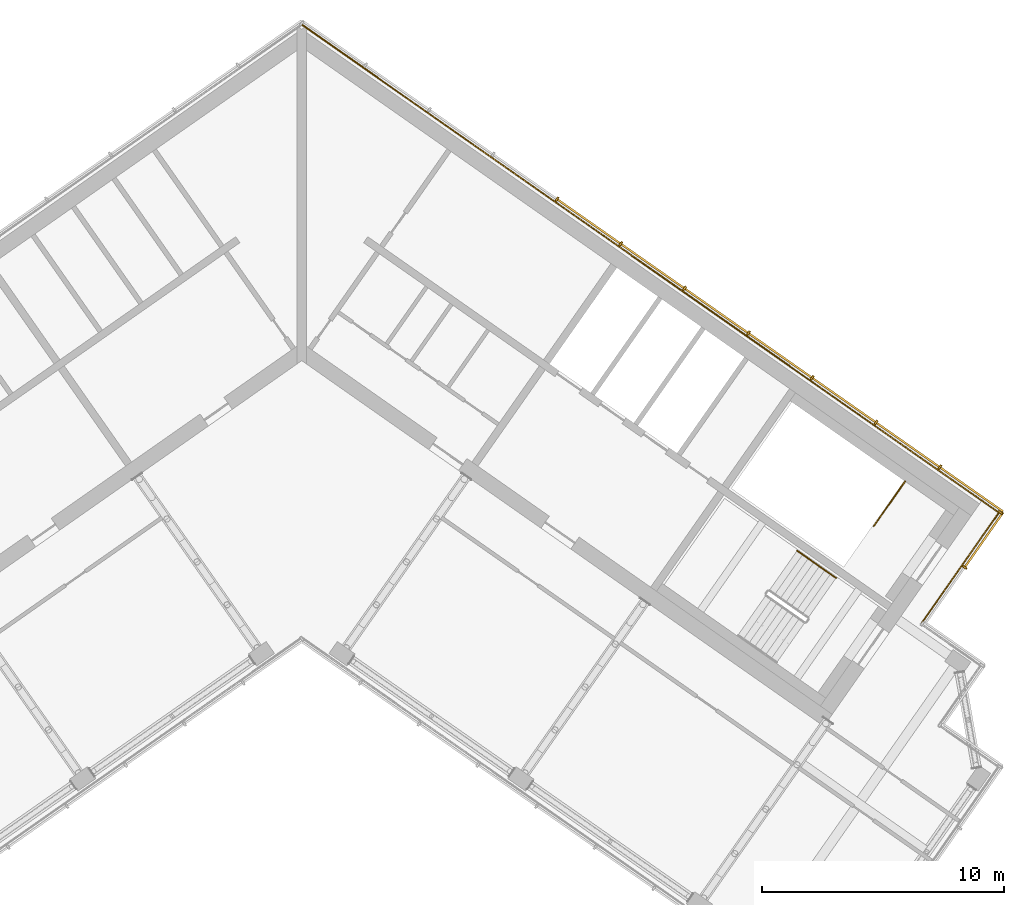
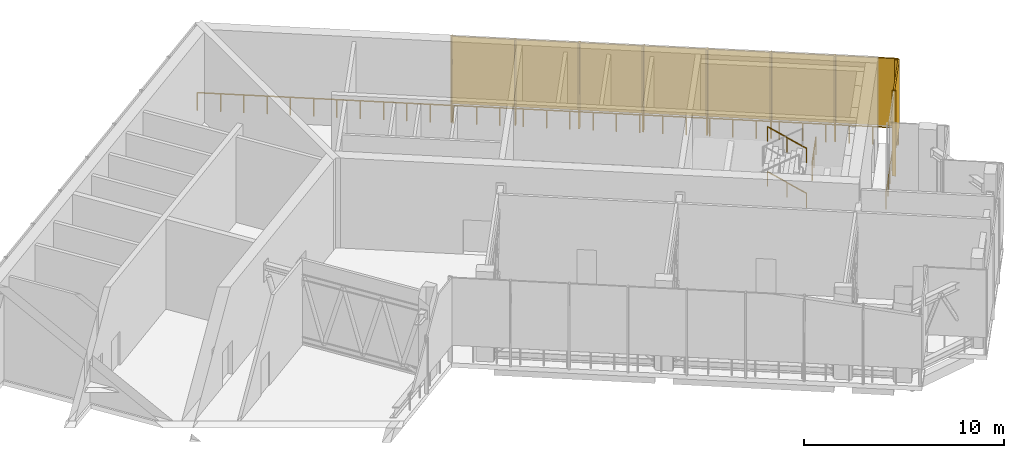
# One storey, part 15 of 16: 17 shading devices, 5 railings.
"""IFC4 building model written with IfcOpenShell, lengths in metres."""

from ifc_helpers import new_model, si_unit, direction, frame, origin, origin_2d, place, context, subcontext, project, spatial, rectangle, circle, extrude, material, layer, layer_set, type_object, element, save


model = new_model("IFC4")

# Units and contexts
model_context = context("Model", 3, precision=1e-05, world=origin(), true_north=direction((0.0, 1.0)))
body_context = subcontext(model_context, "Body", "Model", "MODEL_VIEW")
ifc_project = project(units=[si_unit("LENGTHUNIT", "METRE"), si_unit("AREAUNIT", "SQUARE_METRE"), si_unit("VOLUMEUNIT", "CUBIC_METRE"), si_unit("PLANEANGLEUNIT", "RADIAN"), si_unit("MASSUNIT", "GRAM", prefix="KILO")], contexts=[model_context])

# Site, building, storey
site_placement = place(None, origin())
site = spatial("IfcSite", under=ifc_project, at=site_placement, CompositionType="ELEMENT")
building_placement = place(site_placement, origin())
building = spatial("IfcBuilding", under=site, at=building_placement, Name="Tel Ilan Convention Tower", CompositionType="ELEMENT")
storey_placement = place(building_placement, frame((0.0, 0.0, 313.300048828125)))
storey = spatial("IfcBuildingStorey", under=building, at=storey_placement, Name="L74", CompositionType="ELEMENT", Elevation=313.300048828125)

# Shading devices
ifc_material_1 = material(Name="Perforated aluminium sheet, bronze anodised", Category="aluminium")
ifc_layer_1 = layer(ifc_material_1, 0.080078125)
ifc_layer_set_1 = layer_set([ifc_layer_1], Name="PERFORATED SCREEN 80")
shading_device_type_1 = type_object("IfcShadingDeviceType", Name="PERFORATED SCREEN 80", PredefinedType="USERDEFINED", material=ifc_layer_set_1)
shading_device_1_placement = place(storey_placement, frame((28.15576171875, -8.60595703125, 1.099853515625), z_axis=(0.0, 0.0, 1.0), x_axis=(0.573576436351, 0.819152044289, 0.0)))
element("IfcShadingDevice", 1, at=shading_device_1_placement, inside=storey, type_object=shading_device_type_1, Name="SCREEN", ObjectType="SCREEN", PredefinedType="USERDEFINED", context=body_context, shape_type="SweptSolid", body=[
    extrude(rectangle(XDim=2.739990234375, YDim=0.080078125, at=origin_2d()), origin(), (0.0, 0.0, 1.0), 4.1201171875),
])
for number, where, z_axis, x_axis, name in (
    (2, (27.642578125, -6.537353515625, 1.099853515625), (0.0, 0.0, 1.0), (-0.819152044289, 0.573576436351, 0.0), "SCREEN"),
    (3, (25.009765625, -4.694091796875, 1.099853515625), (0.0, 0.0, 1.0), (-0.819152044289, 0.573576436351, 0.0), "SCREEN"),
    (4, (22.377197265625, -2.8505859375, 1.099853515625), (0.0, 0.0, 1.0), (-0.819152044289, 0.573576436351, 0.0), "SCREEN"),
    (5, (19.74462890625, -1.00732421875, 1.099853515625), (0.0, 0.0, 1.0), (-0.819152044289, 0.573576436351, 0.0), "SCREEN"),
    (6, (17.112060546875, 0.836181640625, 1.099853515625), (0.0, 0.0, 1.0), (-0.819152044289, 0.573576436351, 0.0), "SCREEN"),
    (7, (14.4794921875, 2.679443359375, 1.099853515625), (0.0, 0.0, 1.0), (-0.819152044289, 0.573576436351, 0.0), "SCREEN"),
    (8, (11.8466796875, 4.52294921875, 1.099853515625), (0.0, 0.0, 1.0), (-0.819152044289, 0.573576436351, 0.0), "SCREEN"),
):
    element("IfcShadingDevice", number, at=place(storey_placement, frame(where, z_axis=z_axis, x_axis=x_axis)), inside=storey, type_object=shading_device_type_1, Name=name, ObjectType="SCREEN", PredefinedType="USERDEFINED", context=body_context, shape_type="SweptSolid", body=[
        extrude(rectangle(XDim=3.15380859375, YDim=0.080078125, at=origin_2d()), origin(), (0.0, 0.0, 1.0), 4.1201171875),
    ])

# Railings
ifc_material_2 = material(Name="Stainless steel S316", Category="steel")
railing_type_1 = type_object("IfcRailingType", Name="REFUGE EDGE GUARD 1100", PredefinedType="GUARDRAIL", material=ifc_material_2)
railing_1_placement = place(storey_placement, frame((0.0, 12.647216796875, 0.0)))
element("IfcRailing", 9, at=railing_1_placement, inside=storey, type_object=railing_type_1, Name="Refuge edge guard 56.R09", PredefinedType="GUARDRAIL", context=body_context, shape_type="SweptSolid", body=[
    extrude(circle(Radius=0.02490234375, at=origin_2d()), frame((0.0, 0.0, 1.0751953125), z_axis=(0.819153192638, -0.573574796335, 0.0), x_axis=(0.573574796335, 0.819153192638, 0.0)), (0.0, 0.0, 1.0), 35.1142578125),
    extrude(circle(Radius=0.02490234375, at=origin_2d()), origin(), (0.0, 0.0, 1.0), 1.050048828125),
    extrude(circle(Radius=0.02490234375, at=origin_2d()), frame((0.958740234375, -0.67138671875, 0.0)), (0.0, 0.0, 1.0), 1.050048828125),
    extrude(circle(Radius=0.02490234375, at=origin_2d()), frame((1.91748046875, -1.3427734375, 0.0)), (0.0, 0.0, 1.0), 1.050048828125),
    extrude(circle(Radius=0.02490234375, at=origin_2d()), frame((2.87646484375, -2.01416015625, 0.0)), (0.0, 0.0, 1.0), 1.050048828125),
    extrude(circle(Radius=0.02490234375, at=origin_2d()), frame((3.835205078125, -2.685302734375, 0.0)), (0.0, 0.0, 1.0), 1.050048828125),
    extrude(circle(Radius=0.02490234375, at=origin_2d()), frame((4.7939453125, -3.356689453125, 0.0)), (0.0, 0.0, 1.0), 1.050048828125),
    extrude(circle(Radius=0.02490234375, at=origin_2d()), frame((5.752685546875, -4.028076171875, 0.0)), (0.0, 0.0, 1.0), 1.050048828125),
    extrude(circle(Radius=0.02490234375, at=origin_2d()), frame((6.711669921875, -4.699462890625, 0.0)), (0.0, 0.0, 1.0), 1.050048828125),
    extrude(circle(Radius=0.02490234375, at=origin_2d()), frame((7.67041015625, -5.370849609375, 0.0)), (0.0, 0.0, 1.0), 1.050048828125),
    extrude(circle(Radius=0.02490234375, at=origin_2d()), frame((8.629150390625, -6.042236328125, 0.0)), (0.0, 0.0, 1.0), 1.050048828125),
    extrude(circle(Radius=0.02490234375, at=origin_2d()), frame((9.587890625, -6.713623046875, 0.0)), (0.0, 0.0, 1.0), 1.050048828125),
    extrude(circle(Radius=0.02490234375, at=origin_2d()), frame((10.546875, -7.385009765625, 0.0)), (0.0, 0.0, 1.0), 1.050048828125),
    extrude(circle(Radius=0.02490234375, at=origin_2d()), frame((11.505615234375, -8.05615234375, 0.0)), (0.0, 0.0, 1.0), 1.050048828125),
    extrude(circle(Radius=0.02490234375, at=origin_2d()), frame((12.46435546875, -8.7275390625, 0.0)), (0.0, 0.0, 1.0), 1.050048828125),
    extrude(circle(Radius=0.02490234375, at=origin_2d()), frame((13.423095703125, -9.39892578125, 0.0)), (0.0, 0.0, 1.0), 1.050048828125),
    extrude(circle(Radius=0.02490234375, at=origin_2d()), frame((14.3818359375, -10.0703125, 0.0)), (0.0, 0.0, 1.0), 1.050048828125),
    extrude(circle(Radius=0.02490234375, at=origin_2d()), frame((15.3408203125, -10.74169921875, 0.0)), (0.0, 0.0, 1.0), 1.050048828125),
    extrude(circle(Radius=0.02490234375, at=origin_2d()), frame((16.299560546875, -11.4130859375, 0.0)), (0.0, 0.0, 1.0), 1.050048828125),
    extrude(circle(Radius=0.02490234375, at=origin_2d()), frame((17.25830078125, -12.08447265625, 0.0)), (0.0, 0.0, 1.0), 1.050048828125),
    extrude(circle(Radius=0.02490234375, at=origin_2d()), frame((18.217041015625, -12.755615234375, 0.0)), (0.0, 0.0, 1.0), 1.050048828125),
    extrude(circle(Radius=0.02490234375, at=origin_2d()), frame((19.176025390625, -13.427001953125, 0.0)), (0.0, 0.0, 1.0), 1.050048828125),
    extrude(circle(Radius=0.02490234375, at=origin_2d()), frame((20.134765625, -14.098388671875, 0.0)), (0.0, 0.0, 1.0), 1.050048828125),
    extrude(circle(Radius=0.02490234375, at=origin_2d()), frame((21.093505859375, -14.769775390625, 0.0)), (0.0, 0.0, 1.0), 1.050048828125),
    extrude(circle(Radius=0.02490234375, at=origin_2d()), frame((22.05224609375, -15.441162109375, 0.0)), (0.0, 0.0, 1.0), 1.050048828125),
    extrude(circle(Radius=0.02490234375, at=origin_2d()), frame((23.01123046875, -16.112548828125, 0.0)), (0.0, 0.0, 1.0), 1.050048828125),
    extrude(circle(Radius=0.02490234375, at=origin_2d()), frame((23.969970703125, -16.783935546875, 0.0)), (0.0, 0.0, 1.0), 1.050048828125),
    extrude(circle(Radius=0.02490234375, at=origin_2d()), frame((24.9287109375, -17.455322265625, 0.0)), (0.0, 0.0, 1.0), 1.050048828125),
    extrude(circle(Radius=0.02490234375, at=origin_2d()), frame((25.887451171875, -18.12646484375, 0.0)), (0.0, 0.0, 1.0), 1.050048828125),
    extrude(circle(Radius=0.02490234375, at=origin_2d()), frame((26.846435546875, -18.7978515625, 0.0)), (0.0, 0.0, 1.0), 1.050048828125),
    extrude(circle(Radius=0.02490234375, at=origin_2d()), frame((27.80517578125, -19.46923828125, 0.0)), (0.0, 0.0, 1.0), 1.050048828125),
    extrude(circle(Radius=0.02490234375, at=origin_2d()), frame((28.763916015625, -20.140625, 0.0)), (0.0, 0.0, 1.0), 1.050048828125),
])
railing_2_placement = place(storey_placement, frame((28.763916015625, -7.493408203125, 0.0)))
element("IfcRailing", 10, at=railing_2_placement, inside=storey, type_object=railing_type_1, Name="Refuge edge guard 56.R10", PredefinedType="GUARDRAIL", context=body_context, shape_type="SweptSolid", body=[
    extrude(circle(Radius=0.02490234375, at=origin_2d()), frame((0.0, 0.0, 1.0751953125), z_axis=(-0.57357937206, -0.819149988676, 0.0), x_axis=(0.819149988676, -0.57357937206, 0.0)), (0.0, 0.0, 1.0), 5.60009765625),
    extrude(circle(Radius=0.02490234375, at=origin_2d()), origin(), (0.0, 0.0, 1.0), 1.050048828125),
    extrude(circle(Radius=0.02490234375, at=origin_2d()), frame((-0.642333984375, -0.91748046875, 0.0)), (0.0, 0.0, 1.0), 1.050048828125),
    extrude(circle(Radius=0.02490234375, at=origin_2d()), frame((-1.284912109375, -1.8349609375, 0.0)), (0.0, 0.0, 1.0), 1.050048828125),
    extrude(circle(Radius=0.02490234375, at=origin_2d()), frame((-1.92724609375, -2.75244140625, 0.0)), (0.0, 0.0, 1.0), 1.050048828125),
    extrude(circle(Radius=0.02490234375, at=origin_2d()), frame((-2.56982421875, -3.669921875, 0.0)), (0.0, 0.0, 1.0), 1.050048828125),
    extrude(circle(Radius=0.02490234375, at=origin_2d()), frame((-3.212158203125, -4.58740234375, 0.0)), (0.0, 0.0, 1.0), 1.050048828125),
])

# Shading devices
ifc_material_3 = material(Name="Perforated aluminium sheet, bronze anodised", Category="aluminium")
ifc_layer_2 = layer(ifc_material_3, 0.080078125)
ifc_layer_set_2 = layer_set([ifc_layer_2], Name="SCREEN CORNER CLOSURE 80x200")
shading_device_type_2 = type_object("IfcShadingDeviceType", Name="SCREEN CORNER CLOSURE 80x200", PredefinedType="USERDEFINED", material=ifc_layer_set_2)
shading_device_2_placement = place(storey_placement, frame((28.819580078125, -7.483642578125, 0.0), z_axis=(0.0, 0.0, 1.0), x_axis=(0.573576436351, 0.819152044289, 0.0)))
element("IfcShadingDevice", 11, at=shading_device_2_placement, inside=storey, type_object=shading_device_type_2, Name="SCREEN", ObjectType="SCREEN", PredefinedType="USERDEFINED", context=body_context, shape_type="SweptSolid", body=[
    extrude(rectangle(XDim=0.080078125, YDim=0.199951171875, at=origin_2d()), origin(), (0.0, 0.0, 1.0), 5.219970703125),
])
ifc_material_4 = material(Name="Aluminium, bronze anodised", Category="aluminium")
ifc_layer_3 = layer(ifc_material_4, 0.080078125)
ifc_layer_set_3 = layer_set([ifc_layer_3], Name="SCREEN POST 80x200")
shading_device_type_3 = type_object("IfcShadingDeviceType", Name="SCREEN POST 80x200", PredefinedType="USERDEFINED", material=ifc_layer_set_3)
for number, where, z_axis, x_axis, name in (
    (12, (27.352783203125, -9.752685546875, 0.0), (0.0, 0.0, 1.0), (0.573576436351, 0.819152044289, 0.0), "Screen post"),
    (13, (26.326171875, -5.61572265625, 0.0), (0.0, 0.0, 1.0), (-0.819152044289, 0.573576436351, 0.0), "Screen post"),
    (14, (23.693603515625, -3.772216796875, 0.0), (0.0, 0.0, 1.0), (-0.819152044289, 0.573576436351, 0.0), "Screen post"),
    (15, (21.06103515625, -1.928955078125, 0.0), (0.0, 0.0, 1.0), (-0.819152044289, 0.573576436351, 0.0), "Screen post"),
    (16, (18.42822265625, -0.08544921875, 0.0), (0.0, 0.0, 1.0), (-0.819152044289, 0.573576436351, 0.0), "Screen post"),
    (17, (15.795654296875, 1.7578125, 0.0), (0.0, 0.0, 1.0), (-0.819152044289, 0.573576436351, 0.0), "Screen post"),
    (18, (13.1630859375, 3.601318359375, 0.0), (0.0, 0.0, 1.0), (-0.819152044289, 0.573576436351, 0.0), "Screen post"),
    (19, (10.530517578125, 5.444580078125, 0.0), (0.0, 0.0, 1.0), (-0.819152044289, 0.573576436351, 0.0), "Screen post"),
):
    element("IfcShadingDevice", number, at=place(storey_placement, frame(where, z_axis=z_axis, x_axis=x_axis)), inside=storey, type_object=shading_device_type_3, Name=name, ObjectType="SCREEN POST", PredefinedType="USERDEFINED", context=body_context, shape_type="SweptSolid", body=[
        extrude(rectangle(XDim=0.080078125, YDim=0.199951171875, at=origin_2d()), origin(), (0.0, 0.0, 1.0), 5.219970703125),
    ])

# Railings
ifc_material_5 = material(Name="Stainless Steel Grade 316", Category="steel")
railing_type_2 = type_object("IfcRailingType", Name="Stainless Steel Stair Guard 1100 mm", PredefinedType="GUARDRAIL", material=ifc_material_5)
railing_3_placement = place(storey_placement, frame((24.8955078125, -6.200927734375, 0.0)))
element("IfcRailing", 20, at=railing_3_placement, inside=storey, type_object=railing_type_2, Name="L74 S3 top well guard 1", PredefinedType="GUARDRAIL", context=body_context, shape_type="SweptSolid", body=[
    extrude(circle(Radius=0.02392578125, at=origin_2d()), frame((0.0, 0.0, 1.076171875), z_axis=(-0.573586141663, -0.819145248471, 0.0), x_axis=(0.819145248471, -0.573586141663, 0.0)), (0.0, 0.0, 1.0), 2.25),
    extrude(circle(Radius=0.02099609375, at=origin_2d()), origin(), (0.0, 0.0, 1.0), 1.052001953125),
    extrude(circle(Radius=0.02099609375, at=origin_2d()), frame((-0.645263671875, -0.92138671875, 0.0)), (0.0, 0.0, 1.0), 1.052001953125),
    extrude(circle(Radius=0.02099609375, at=origin_2d()), frame((-1.29052734375, -1.843017578125, 0.0)), (0.0, 0.0, 1.0), 1.052001953125),
])
ifc_material_6 = material(Name="Stainless Steel Grade 316", Category="steel")
railing_type_3 = type_object("IfcRailingType", Name="Stainless Steel Stair Handrail 900 mm", PredefinedType="HANDRAIL", material=ifc_material_6)
for number, where, name in (
    (21, (22.044189453125, -10.18603515625, 0.171875), "L74 S4 stair handrail 1"),
    (22, (22.044189453125, -10.18603515625, 2.921875), "L74 S4 stair handrail 3"),
):
    element("IfcRailing", number, at=place(storey_placement, frame(where)), inside=storey, type_object=railing_type_3, Name=name, PredefinedType="HANDRAIL", context=body_context, shape_type="SweptSolid", body=[
        extrude(circle(Radius=0.02392578125, at=origin_2d()), frame((0.0, 0.0, 0.8759765625), z_axis=(-0.698185379967, 0.488740381537, 0.523134795876), x_axis=(-0.573470704013, -0.8192260687, 0.0)), (0.0, 0.0, 1.0), 2.2998046875),
        extrude(circle(Radius=0.02099609375, at=origin_2d()), origin(), (0.0, 0.0, 1.0), 0.851806640625),
        extrude(circle(Radius=0.02099609375, at=origin_2d()), frame((-0.802734375, 0.56201171875, 0.6015625)), (0.0, 0.0, 1.0), 0.851806640625),
        extrude(circle(Radius=0.02099609375, at=origin_2d()), frame((-1.605712890625, 1.1240234375, 1.203125)), (0.0, 0.0, 1.0), 0.851806640625),
    ])

save(model, "model.ifc")
